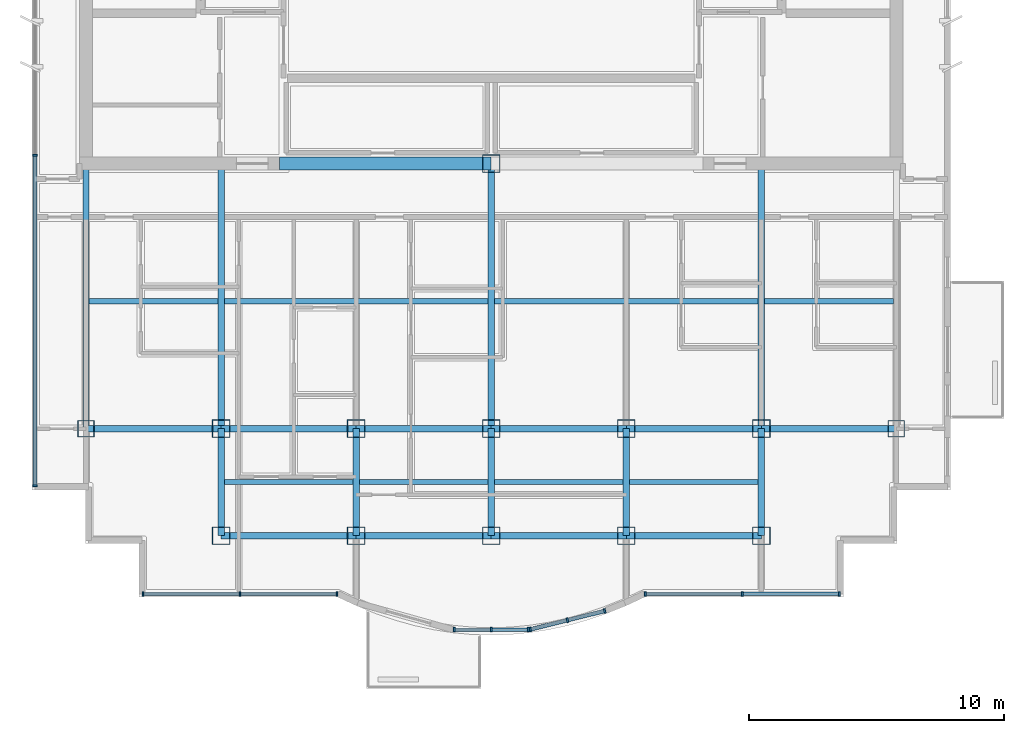
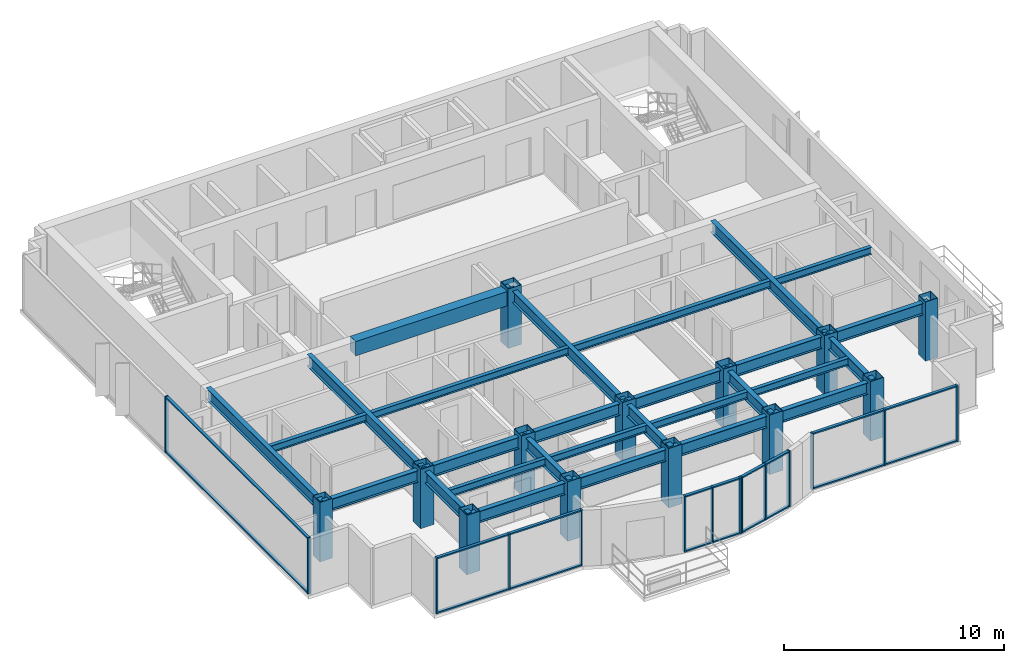
# One storey, part 1 of 9: 32 members, 28 beams, 13 columns, 5 elements without a shape of their own.
"""IFC4 building model written with IfcOpenShell, lengths in metres."""

from ifc_helpers import new_model, si_unit, direction, frame, origin, origin_2d, place, context, subcontext, project, spatial, rectangle, hollow_rectangle, i_section, extrude, source, transform, mapped, material, layer, layer_set, material_profile, profile_set, type_object, element, aggregate, save


model = new_model("IFC4")

# Units and contexts
model_context = context("Model", 3, precision=1e-05, world=origin(), true_north=direction((0.0, 1.0)))
body_context = subcontext(model_context, "Body", "Model", "MODEL_VIEW")
ifc_project = project(units=[si_unit("LENGTHUNIT", "METRE"), si_unit("AREAUNIT", "SQUARE_METRE"), si_unit("VOLUMEUNIT", "CUBIC_METRE"), si_unit("PLANEANGLEUNIT", "RADIAN"), si_unit("MASSUNIT", "GRAM", prefix="KILO")], contexts=[model_context])

# Site, building, storey
site_placement = place(None, origin())
site = spatial("IfcSite", under=ifc_project, at=site_placement, CompositionType="ELEMENT")
building_placement = place(site_placement, origin())
building = spatial("IfcBuilding", under=site, at=building_placement, Name="Qianlan Lanfeng Residences", CompositionType="ELEMENT")
storey_placement = place(building_placement, frame((0.0, 0.0, 246.199951171875)))
storey = spatial("IfcBuildingStorey", under=building, at=storey_placement, Name="L68", CompositionType="ELEMENT", Elevation=246.199951171875)

# Columns
ifc_material_1 = material(Name="Steel SN490B", Category="steel")
ifc_material_profile_1 = material_profile(ifc_material_1, hollow_rectangle(XDim=0.699951171875, YDim=0.699951171875, WallThickness=0.02490234375, at=origin_2d()), Name="BOX 700x700x25")
ifc_profile_set_1 = profile_set([ifc_material_profile_1], Name="Steel SN490B")
column_type_1 = type_object("IfcColumnType", Name="C-B750", PredefinedType="COLUMN", material=ifc_profile_set_1)
for number, where, z_axis, x_axis, name in (
    (1, (26.5, 25.199951171875, 0.0), (0.0, 0.0, 1.0), (1.0, 0.0, 0.0), "L68 Structural Column CP_26.5_25.2"),
    (2, (15.89990234375, 14.800048828125, 0.0), (0.0, 0.0, 1.0), (1.0, 0.0, 0.0), "L68 Structural Column M_15.90_14.80"),
    (3, (15.89990234375, 10.60009765625, 0.0), (0.0, 0.0, 1.0), (1.0, 0.0, 0.0), "L68 Structural Column G_15.90_10.60"),
    (4, (21.199951171875, 14.800048828125, 0.0), (0.0, 0.0, 1.0), (1.0, 0.0, 0.0), "L68 Structural Column M_21.20_14.80"),
    (5, (21.199951171875, 10.60009765625, 0.0), (0.0, 0.0, 1.0), (1.0, 0.0, 0.0), "L68 Structural Column G_21.20_10.60"),
    (6, (26.5, 14.800048828125, 0.0), (0.0, 0.0, 1.0), (1.0, 0.0, 0.0), "L68 Structural Column M_26.50_14.80"),
    (7, (26.5, 10.60009765625, 0.0), (0.0, 0.0, 1.0), (1.0, 0.0, 0.0), "L68 Structural Column G_26.50_10.60"),
    (8, (31.800048828125, 14.800048828125, 0.0), (0.0, 0.0, 1.0), (1.0, 0.0, 0.0), "L68 Structural Column M_31.80_14.80"),
    (9, (31.800048828125, 10.60009765625, 0.0), (0.0, 0.0, 1.0), (1.0, 0.0, 0.0), "L68 Structural Column G_31.80_10.60"),
    (10, (37.10009765625, 14.800048828125, 0.0), (0.0, 0.0, 1.0), (1.0, 0.0, 0.0), "L68 Structural Column M_37.10_14.80"),
    (11, (37.10009765625, 10.60009765625, 0.0), (0.0, 0.0, 1.0), (1.0, 0.0, 0.0), "L68 Structural Column G_37.10_10.60"),
):
    element("IfcColumn", number, at=place(storey_placement, frame(where, z_axis=z_axis, x_axis=x_axis)), inside=storey, type_object=column_type_1, Name=name, PredefinedType="COLUMN", context=body_context, shape_type="SweptSolid", body=[
        extrude(hollow_rectangle(XDim=0.699951171875, YDim=0.699951171875, WallThickness=0.02490234375, at=origin_2d()), origin(), (0.0, 0.0, 1.0), 3.300048828125),
    ])
ifc_material_profile_2 = material_profile(ifc_material_1, hollow_rectangle(XDim=0.64990234375, YDim=0.64990234375, WallThickness=0.02197265625, at=origin_2d()), Name="BOX 650x650x22")
ifc_profile_set_2 = profile_set([ifc_material_profile_2], Name="Steel SN490B")
column_type_2 = type_object("IfcColumnType", Name="CE-B700", PredefinedType="COLUMN", material=ifc_profile_set_2)
for number, where, z_axis, x_axis, name in (
    (12, (10.60009765625, 14.800048828125, 0.0), (0.0, 0.0, 1.0), (1.0, 0.0, 0.0), "L68 Structural Column M_10.60_14.80"),
    (13, (42.39990234375, 14.800048828125, 0.0), (0.0, 0.0, 1.0), (1.0, 0.0, 0.0), "L68 Structural Column M_42.40_14.80"),
):
    element("IfcColumn", number, at=place(storey_placement, frame(where, z_axis=z_axis, x_axis=x_axis)), inside=storey, type_object=column_type_2, Name=name, PredefinedType="COLUMN", context=body_context, shape_type="SweptSolid", body=[
        extrude(hollow_rectangle(XDim=0.64990234375, YDim=0.64990234375, WallThickness=0.02197265625, at=origin_2d()), origin(), (0.0, 0.0, 1.0), 3.300048828125),
    ])

# Beams
ifc_material_profile_3 = material_profile(ifc_material_1, i_section(OverallWidth=0.25, OverallDepth=0.64990234375, WebThickness=0.012939453125, FlangeThickness=0.02197265625, at=origin_2d()), Name="H 650x250x13x22")
ifc_profile_set_3 = profile_set([ifc_material_profile_3], Name="Steel SN490B")
beam_type_1 = type_object("IfcBeamType", Name="G-650", PredefinedType="BEAM", material=ifc_profile_set_3)
for number, where, z_axis, x_axis, name in (
    (14, (15.89990234375, 10.60009765625, 2.78515625), (1.0, 0.0, 0.0), (0.0, 1.0, 0.0), "Structural beam G-650"),
    (15, (21.199951171875, 10.60009765625, 2.78515625), (1.0, 0.0, 0.0), (0.0, 1.0, 0.0), "Structural beam G-650"),
    (16, (26.5, 10.60009765625, 2.78515625), (1.0, 0.0, 0.0), (0.0, 1.0, 0.0), "Structural beam G-650"),
    (17, (31.800048828125, 10.60009765625, 2.78515625), (1.0, 0.0, 0.0), (0.0, 1.0, 0.0), "Structural beam G-650"),
):
    element("IfcBeam", number, at=place(storey_placement, frame(where, z_axis=z_axis, x_axis=x_axis)), inside=storey, type_object=beam_type_1, Name=name, PredefinedType="BEAM", context=body_context, shape_type="SweptSolid", body=[
        extrude(i_section(OverallWidth=0.25, OverallDepth=0.64990234375, WebThickness=0.012939453125, FlangeThickness=0.02197265625, at=origin_2d()), origin(), (0.0, 0.0, 1.0), 5.300048828125),
    ])
beam_1_placement = place(storey_placement, frame((10.60009765625, 14.800048828125, 2.78515625), z_axis=(1.0, 0.0, 0.0), x_axis=(0.0, 1.0, 0.0)))
element("IfcBeam", 18, at=beam_1_placement, inside=storey, type_object=beam_type_1, Name="Structural beam G-650", PredefinedType="BEAM", context=body_context, shape_type="SweptSolid", body=[
    extrude(i_section(OverallWidth=0.25, OverallDepth=0.64990234375, WebThickness=0.012939453125, FlangeThickness=0.02197265625, at=origin_2d()), origin(), (0.0, 0.0, 1.0), 5.2998046875),
])
for number, where, z_axis, x_axis, name in (
    (19, (15.89990234375, 14.800048828125, 2.78515625), (1.0, 0.0, 0.0), (0.0, 1.0, 0.0), "Structural beam G-650"),
    (20, (21.199951171875, 14.800048828125, 2.78515625), (1.0, 0.0, 0.0), (0.0, 1.0, 0.0), "Structural beam G-650"),
    (21, (26.5, 14.800048828125, 2.78515625), (1.0, 0.0, 0.0), (0.0, 1.0, 0.0), "Structural beam G-650"),
    (22, (31.800048828125, 14.800048828125, 2.78515625), (1.0, 0.0, 0.0), (0.0, 1.0, 0.0), "Structural beam G-650"),
):
    element("IfcBeam", number, at=place(storey_placement, frame(where, z_axis=z_axis, x_axis=x_axis)), inside=storey, type_object=beam_type_1, Name=name, PredefinedType="BEAM", context=body_context, shape_type="SweptSolid", body=[
        extrude(i_section(OverallWidth=0.25, OverallDepth=0.64990234375, WebThickness=0.012939453125, FlangeThickness=0.02197265625, at=origin_2d()), origin(), (0.0, 0.0, 1.0), 5.300048828125),
    ])
beam_2_placement = place(storey_placement, frame((37.10009765625, 14.800048828125, 2.78515625), z_axis=(1.0, 0.0, 0.0), x_axis=(0.0, 1.0, 0.0)))
element("IfcBeam", 23, at=beam_2_placement, inside=storey, type_object=beam_type_1, Name="Structural beam G-650", PredefinedType="BEAM", context=body_context, shape_type="SweptSolid", body=[
    extrude(i_section(OverallWidth=0.25, OverallDepth=0.64990234375, WebThickness=0.012939453125, FlangeThickness=0.02197265625, at=origin_2d()), origin(), (0.0, 0.0, 1.0), 5.2998046875),
])
beam_3_placement = place(storey_placement, frame((10.60009765625, 14.800048828125, 2.78515625), z_axis=(0.0, 1.0, 0.0), x_axis=(-1.0, 0.0, 0.0)))
element("IfcBeam", 24, at=beam_3_placement, inside=storey, type_object=beam_type_1, Name="Structural beam G-650", PredefinedType="BEAM", context=body_context, shape_type="SweptSolid", body=[
    extrude(i_section(OverallWidth=0.25, OverallDepth=0.64990234375, WebThickness=0.012939453125, FlangeThickness=0.02197265625, at=origin_2d()), origin(), (0.0, 0.0, 1.0), 10.39990234375),
])
beam_4_placement = place(storey_placement, frame((15.89990234375, 10.60009765625, 2.78515625), z_axis=(0.0, 1.0, 0.0), x_axis=(-1.0, 0.0, 0.0)))
element("IfcBeam", 25, at=beam_4_placement, inside=storey, type_object=beam_type_1, Name="Structural beam G-650", PredefinedType="BEAM", context=body_context, shape_type="SweptSolid", body=[
    extrude(i_section(OverallWidth=0.25, OverallDepth=0.64990234375, WebThickness=0.012939453125, FlangeThickness=0.02197265625, at=origin_2d()), origin(), (0.0, 0.0, 1.0), 4.199951171875),
])
beam_5_placement = place(storey_placement, frame((15.89990234375, 14.800048828125, 2.78515625), z_axis=(0.0, 1.0, 0.0), x_axis=(-1.0, 0.0, 0.0)))
element("IfcBeam", 26, at=beam_5_placement, inside=storey, type_object=beam_type_1, Name="Structural beam G-650", PredefinedType="BEAM", context=body_context, shape_type="SweptSolid", body=[
    extrude(i_section(OverallWidth=0.25, OverallDepth=0.64990234375, WebThickness=0.012939453125, FlangeThickness=0.02197265625, at=origin_2d()), origin(), (0.0, 0.0, 1.0), 10.39990234375),
])
for number, where, z_axis, x_axis, name in (
    (27, (21.199951171875, 10.60009765625, 2.78515625), (0.0, 1.0, 0.0), (-1.0, 0.0, 0.0), "Structural beam G-650"),
    (28, (26.5, 10.60009765625, 2.78515625), (0.0, 1.0, 0.0), (-1.0, 0.0, 0.0), "Structural beam G-650"),
):
    element("IfcBeam", number, at=place(storey_placement, frame(where, z_axis=z_axis, x_axis=x_axis)), inside=storey, type_object=beam_type_1, Name=name, PredefinedType="BEAM", context=body_context, shape_type="SweptSolid", body=[
        extrude(i_section(OverallWidth=0.25, OverallDepth=0.64990234375, WebThickness=0.012939453125, FlangeThickness=0.02197265625, at=origin_2d()), origin(), (0.0, 0.0, 1.0), 4.199951171875),
    ])
beam_6_placement = place(storey_placement, frame((26.5, 14.800048828125, 2.78515625), z_axis=(0.0, 1.0, 0.0), x_axis=(-1.0, 0.0, 0.0)))
element("IfcBeam", 29, at=beam_6_placement, inside=storey, type_object=beam_type_1, Name="Structural beam G-650", PredefinedType="BEAM", context=body_context, shape_type="SweptSolid", body=[
    extrude(i_section(OverallWidth=0.25, OverallDepth=0.64990234375, WebThickness=0.012939453125, FlangeThickness=0.02197265625, at=origin_2d()), origin(), (0.0, 0.0, 1.0), 10.39990234375),
])
for number, where, z_axis, x_axis, name in (
    (30, (31.800048828125, 10.60009765625, 2.78515625), (0.0, 1.0, 0.0), (-1.0, 0.0, 0.0), "Structural beam G-650"),
    (31, (37.10009765625, 10.60009765625, 2.78515625), (0.0, 1.0, 0.0), (-1.0, 0.0, 0.0), "Structural beam G-650"),
):
    element("IfcBeam", number, at=place(storey_placement, frame(where, z_axis=z_axis, x_axis=x_axis)), inside=storey, type_object=beam_type_1, Name=name, PredefinedType="BEAM", context=body_context, shape_type="SweptSolid", body=[
        extrude(i_section(OverallWidth=0.25, OverallDepth=0.64990234375, WebThickness=0.012939453125, FlangeThickness=0.02197265625, at=origin_2d()), origin(), (0.0, 0.0, 1.0), 4.199951171875),
    ])
beam_7_placement = place(storey_placement, frame((37.10009765625, 14.800048828125, 2.78515625), z_axis=(0.0, 1.0, 0.0), x_axis=(-1.0, 0.0, 0.0)))
element("IfcBeam", 32, at=beam_7_placement, inside=storey, type_object=beam_type_1, Name="Structural beam G-650", PredefinedType="BEAM", context=body_context, shape_type="SweptSolid", body=[
    extrude(i_section(OverallWidth=0.25, OverallDepth=0.64990234375, WebThickness=0.012939453125, FlangeThickness=0.02197265625, at=origin_2d()), origin(), (0.0, 0.0, 1.0), 10.39990234375),
])
ifc_material_profile_4 = material_profile(ifc_material_1, i_section(OverallWidth=0.199951171875, OverallDepth=0.39990234375, WebThickness=0.008056640625, FlangeThickness=0.012939453125, at=origin_2d()), Name="H 400x200x8x13")
ifc_profile_set_4 = profile_set([ifc_material_profile_4], Name="Steel SN490B")
beam_type_2 = type_object("IfcBeamType", Name="J-400", PredefinedType="JOIST", material=ifc_profile_set_4)
for number, where, z_axis, x_axis, name in (
    (33, (16.02490234375, 12.699951171875, 2.91015625), (1.0, 0.0, 0.0), (0.0, 1.0, 0.0), "Structural beam J-400"),
    (34, (21.324951171875, 12.699951171875, 2.91015625), (1.0, 0.0, 0.0), (0.0, 1.0, 0.0), "Structural beam J-400"),
    (35, (26.625, 12.699951171875, 2.91015625), (1.0, 0.0, 0.0), (0.0, 1.0, 0.0), "Structural beam J-400"),
    (36, (31.925048828125, 12.699951171875, 2.91015625), (1.0, 0.0, 0.0), (0.0, 1.0, 0.0), "Structural beam J-400"),
):
    element("IfcBeam", number, at=place(storey_placement, frame(where, z_axis=z_axis, x_axis=x_axis)), inside=storey, type_object=beam_type_2, Name=name, PredefinedType="JOIST", context=body_context, shape_type="SweptSolid", body=[
        extrude(i_section(OverallWidth=0.199951171875, OverallDepth=0.39990234375, WebThickness=0.008056640625, FlangeThickness=0.012939453125, at=origin_2d()), origin(), (0.0, 0.0, 1.0), 5.050048828125),
    ])
beam_8_placement = place(storey_placement, frame((10.72509765625, 19.800048828125, 2.91015625), z_axis=(1.0, 0.0, 0.0), x_axis=(0.0, 1.0, 0.0)))
element("IfcBeam", 37, at=beam_8_placement, inside=storey, type_object=beam_type_2, Name="Structural beam J-400", PredefinedType="JOIST", context=body_context, shape_type="SweptSolid", body=[
    extrude(i_section(OverallWidth=0.199951171875, OverallDepth=0.39990234375, WebThickness=0.008056640625, FlangeThickness=0.012939453125, at=origin_2d()), origin(), (0.0, 0.0, 1.0), 5.0498046875),
])
for number, where, z_axis, x_axis, name in (
    (38, (16.02490234375, 19.800048828125, 2.91015625), (1.0, 0.0, 0.0), (0.0, 1.0, 0.0), "Structural beam J-400"),
    (39, (26.625, 19.800048828125, 2.91015625), (1.0, 0.0, 0.0), (0.0, 1.0, 0.0), "Structural beam J-400"),
):
    element("IfcBeam", number, at=place(storey_placement, frame(where, z_axis=z_axis, x_axis=x_axis)), inside=storey, type_object=beam_type_2, Name=name, PredefinedType="JOIST", context=body_context, shape_type="SweptSolid", body=[
        extrude(i_section(OverallWidth=0.199951171875, OverallDepth=0.39990234375, WebThickness=0.008056640625, FlangeThickness=0.012939453125, at=origin_2d()), origin(), (0.0, 0.0, 1.0), 10.35009765625),
    ])
beam_9_placement = place(storey_placement, frame((37.22509765625, 19.800048828125, 2.91015625), z_axis=(1.0, 0.0, 0.0), x_axis=(0.0, 1.0, 0.0)))
element("IfcBeam", 40, at=beam_9_placement, inside=storey, type_object=beam_type_2, Name="Structural beam J-400", PredefinedType="JOIST", context=body_context, shape_type="SweptSolid", body=[
    extrude(i_section(OverallWidth=0.199951171875, OverallDepth=0.39990234375, WebThickness=0.008056640625, FlangeThickness=0.012939453125, at=origin_2d()), origin(), (0.0, 0.0, 1.0), 5.0498046875),
])
ifc_material_2 = material(Name="Concrete C49", Category="concrete")
ifc_material_profile_5 = material_profile(ifc_material_2, rectangle(XDim=0.5, YDim=0.800048828125, at=origin_2d()), Name="RC 500x800")
ifc_profile_set_5 = profile_set([ifc_material_profile_5], Name="Concrete C49")
beam_type_3 = type_object("IfcBeamType", Name="LB-RC750", PredefinedType="BEAM", material=ifc_profile_set_5)
beam_10_placement = place(storey_placement, frame((18.199951171875, 25.199951171875, 2.7099609375), z_axis=(1.0, 0.0, 0.0), x_axis=(0.0, 1.0, 0.0)))
element("IfcBeam", 41, at=beam_10_placement, inside=storey, type_object=beam_type_3, Name="L68 Core Coupling Beam W", PredefinedType="BEAM", context=body_context, shape_type="SweptSolid", body=[
    extrude(rectangle(XDim=0.5, YDim=0.800048828125, at=origin_2d()), origin(), (0.0, 0.0, 1.0), 8.300048828125),
])

# Curtain wall, members
ifc_material_3 = material(Name="Anodised Bronze Aluminium 6063-T6", Category="aluminium")
ifc_layer = layer(ifc_material_3, 0.219970703125)
ifc_layer_set = layer_set([ifc_layer], Name="Anodised Bronze Aluminium 6063-T6")
curtain_wall_type = type_object("IfcCurtainWallType", Name="CW-06", PredefinedType="NOTDEFINED", material=ifc_layer_set)
curtain_wall_1_placement = place(storey_placement, origin())
curtain_wall_1 = element("IfcCurtainWall", 42, at=curtain_wall_1_placement, inside=storey, type_object=curtain_wall_type, Name="L68 Unitised Curtain Wall CWR-L68-01 (CW-06)", PredefinedType="NOTDEFINED")
ifc_material_profile_6 = material_profile(ifc_material_3, rectangle(XDim=0.074951171875, YDim=0.179931640625, at=origin_2d()), Name="ALU MULLION 75x180")
ifc_profile_set_6 = profile_set([ifc_material_profile_6], Name="Anodised Bronze Aluminium 6063-T6")
member_type_1 = type_object("IfcMemberType", Name="CWM-180", PredefinedType="MULLION", material=ifc_profile_set_6)
shared_shape_1 = source(origin(), body_context, "Body", "SweptSolid", [
    extrude(rectangle(XDim=0.074951171875, YDim=0.179931640625, at=origin_2d()), origin(), (0.0, 0.0, 1.0), 3.110107421875),
])
member_1_placement = place(storey_placement, frame((12.83740234375, 8.320068359375, 0.0), z_axis=(0.0, 0.0, 1.0), x_axis=(1.0, 0.0, 0.0)))
member_1 = element("IfcMember", 43, at=member_1_placement, type_object=member_type_1, Name="CWR-L68-01 Mullion 1", PredefinedType="MULLION", context=body_context, shape_type="MappedRepresentation", body=[
    mapped(shared_shape_1, transform((0.0, 0.0, 0.0), scale=1.0)),
])
member_2_placement = place(storey_placement, frame((16.6435546875, 8.320068359375, 0.0), z_axis=(0.0, 0.0, 1.0), x_axis=(1.0, 0.0, 0.0)))
member_2 = element("IfcMember", 44, at=member_2_placement, type_object=member_type_1, Name="CWR-L68-01 Mullion 2", PredefinedType="MULLION", context=body_context, shape_type="MappedRepresentation", body=[
    mapped(shared_shape_1, transform((0.0, 0.0, 0.0), scale=1.0)),
])
member_3_placement = place(storey_placement, frame((20.449462890625, 8.320068359375, 0.0), z_axis=(0.0, 0.0, 1.0), x_axis=(1.0, 0.0, 0.0)))
member_3 = element("IfcMember", 45, at=member_3_placement, type_object=member_type_1, Name="CWR-L68-01 Mullion 3", PredefinedType="MULLION", context=body_context, shape_type="MappedRepresentation", body=[
    mapped(shared_shape_1, transform((0.0, 0.0, 0.0), scale=1.0)),
])

curtain_wall_2_placement = place(storey_placement, origin())
curtain_wall_2 = element("IfcCurtainWall", 46, at=curtain_wall_2_placement, inside=storey, type_object=curtain_wall_type, Name="L68 Unitised Curtain Wall CWR-L68-02 (CW-06)", PredefinedType="NOTDEFINED")
member_4_placement = place(storey_placement, frame((25.04248046875, 6.9130859375, 0.0), z_axis=(0.0, 0.0, 1.0), x_axis=(1.0, 0.0, 0.0)))
member_4 = element("IfcMember", 47, at=member_4_placement, type_object=member_type_1, Name="CWR-L68-02 Mullion 1", PredefinedType="MULLION", context=body_context, shape_type="MappedRepresentation", body=[
    mapped(shared_shape_1, transform((0.0, 0.0, 0.0), scale=1.0)),
])
member_5_placement = place(storey_placement, frame((26.5, 6.9130859375, 0.0), z_axis=(0.0, 0.0, 1.0), x_axis=(1.0, 0.0, 0.0)))
member_5 = element("IfcMember", 48, at=member_5_placement, type_object=member_type_1, Name="CWR-L68-02 Mullion 2", PredefinedType="MULLION", context=body_context, shape_type="MappedRepresentation", body=[
    mapped(shared_shape_1, transform((0.0, 0.0, 0.0), scale=1.0)),
])
member_6_placement = place(storey_placement, frame((27.95751953125, 6.9130859375, 0.0), z_axis=(0.0, 0.0, 1.0), x_axis=(1.0, 0.0, 0.0)))
member_6 = element("IfcMember", 49, at=member_6_placement, type_object=member_type_1, Name="CWR-L68-02 Mullion 3", PredefinedType="MULLION", context=body_context, shape_type="MappedRepresentation", body=[
    mapped(shared_shape_1, transform((0.0, 0.0, 0.0), scale=1.0)),
])

curtain_wall_3_placement = place(storey_placement, origin())
curtain_wall_3 = element("IfcCurtainWall", 50, at=curtain_wall_3_placement, inside=storey, type_object=curtain_wall_type, Name="L68 Unitised Curtain Wall CWR-L68-03 (CW-06)", PredefinedType="NOTDEFINED")
member_7_placement = place(storey_placement, frame((28.031494140625, 6.922119140625, 0.0), z_axis=(0.0, 0.0, 1.0), x_axis=(0.970466067332, 0.241237667369, 0.0)))
member_7 = element("IfcMember", 51, at=member_7_placement, type_object=member_type_1, Name="CWR-L68-03 Mullion 1", PredefinedType="MULLION", context=body_context, shape_type="MappedRepresentation", body=[
    mapped(shared_shape_1, transform((0.0, 0.0, 0.0), scale=1.0)),
])
member_8_placement = place(storey_placement, frame((29.491455078125, 7.284912109375, 0.0), z_axis=(0.0, 0.0, 1.0), x_axis=(0.970466067332, 0.241237667369, 0.0)))
member_8 = element("IfcMember", 52, at=member_8_placement, type_object=member_type_1, Name="CWR-L68-03 Mullion 2", PredefinedType="MULLION", context=body_context, shape_type="MappedRepresentation", body=[
    mapped(shared_shape_1, transform((0.0, 0.0, 0.0), scale=1.0)),
])
member_9_placement = place(storey_placement, frame((30.95166015625, 7.64794921875, 0.0), z_axis=(0.0, 0.0, 1.0), x_axis=(0.970466067332, 0.241237667369, 0.0)))
member_9 = element("IfcMember", 53, at=member_9_placement, type_object=member_type_1, Name="CWR-L68-03 Mullion 3", PredefinedType="MULLION", context=body_context, shape_type="MappedRepresentation", body=[
    mapped(shared_shape_1, transform((0.0, 0.0, 0.0), scale=1.0)),
])

curtain_wall_4_placement = place(storey_placement, origin())
curtain_wall_4 = element("IfcCurtainWall", 54, at=curtain_wall_4_placement, inside=storey, type_object=curtain_wall_type, Name="L68 Unitised Curtain Wall CWR-L68-04 (CW-06)", PredefinedType="NOTDEFINED")
member_10_placement = place(storey_placement, frame((32.550537109375, 8.320068359375, 0.0), z_axis=(0.0, 0.0, 1.0), x_axis=(1.0, 0.0, 0.0)))
member_10 = element("IfcMember", 55, at=member_10_placement, type_object=member_type_1, Name="CWR-L68-04 Mullion 1", PredefinedType="MULLION", context=body_context, shape_type="MappedRepresentation", body=[
    mapped(shared_shape_1, transform((0.0, 0.0, 0.0), scale=1.0)),
])
member_11_placement = place(storey_placement, frame((36.3564453125, 8.320068359375, 0.0), z_axis=(0.0, 0.0, 1.0), x_axis=(1.0, 0.0, 0.0)))
member_11 = element("IfcMember", 56, at=member_11_placement, type_object=member_type_1, Name="CWR-L68-04 Mullion 2", PredefinedType="MULLION", context=body_context, shape_type="MappedRepresentation", body=[
    mapped(shared_shape_1, transform((0.0, 0.0, 0.0), scale=1.0)),
])
member_12_placement = place(storey_placement, frame((40.16259765625, 8.320068359375, 0.0), z_axis=(0.0, 0.0, 1.0), x_axis=(1.0, 0.0, 0.0)))
member_12 = element("IfcMember", 57, at=member_12_placement, type_object=member_type_1, Name="CWR-L68-04 Mullion 3", PredefinedType="MULLION", context=body_context, shape_type="MappedRepresentation", body=[
    mapped(shared_shape_1, transform((0.0, 0.0, 0.0), scale=1.0)),
])

curtain_wall_5_placement = place(storey_placement, origin())
curtain_wall_5 = element("IfcCurtainWall", 58, at=curtain_wall_5_placement, inside=storey, type_object=curtain_wall_type, Name="L68 Unitised Curtain Wall CWR-L68-05 (CW-06)", PredefinedType="NOTDEFINED")
member_13_placement = place(storey_placement, frame((8.60009765625, 25.52490234375, 0.0), z_axis=(0.0, 0.0, 1.0), x_axis=(0.0, -1.0, 0.0)))
member_13 = element("IfcMember", 59, at=member_13_placement, type_object=member_type_1, Name="CWR-L68-05 Mullion 2", PredefinedType="MULLION", context=body_context, shape_type="MappedRepresentation", body=[
    mapped(shared_shape_1, transform((0.0, 0.0, 0.0), scale=1.0)),
])
member_14_placement = place(storey_placement, frame((8.60009765625, 12.5576171875, 0.0), z_axis=(0.0, 0.0, 1.0), x_axis=(0.0, -1.0, 0.0)))
member_14 = element("IfcMember", 60, at=member_14_placement, type_object=member_type_1, Name="CWR-L68-05 Mullion 3", PredefinedType="MULLION", context=body_context, shape_type="MappedRepresentation", body=[
    mapped(shared_shape_1, transform((0.0, 0.0, 0.0), scale=1.0)),
])

# Member
ifc_material_profile_7 = material_profile(ifc_material_3, rectangle(XDim=0.074951171875, YDim=0.14990234375, at=origin_2d()), Name="ALU TRANSOM 75x150")
ifc_profile_set_7 = profile_set([ifc_material_profile_7], Name="Anodised Bronze Aluminium 6063-T6")
member_type_2 = type_object("IfcMemberType", Name="CWT-150", PredefinedType="USERDEFINED", material=ifc_profile_set_7)
shared_shape_2 = source(origin(), body_context, "Body", "SweptSolid", [
    extrude(rectangle(XDim=0.074951171875, YDim=0.14990234375, at=origin_2d()), origin(), (0.0, 0.0, 1.0), 3.73095703125),
])
member_15_placement = place(storey_placement, frame((12.875, 8.320068359375, 0.03759765625), z_axis=(1.0, 0.0, 0.0), x_axis=(0.0, 0.0, 1.0)))
member_15 = element("IfcMember", 61, at=member_15_placement, type_object=member_type_2, Name="CWR-L68-01 Transom 1-BOT", ObjectType="TRANSOM", PredefinedType="USERDEFINED", context=body_context, shape_type="MappedRepresentation", body=[
    mapped(shared_shape_2, transform((0.0, 0.0, 0.0), scale=1.0)),
])

member_16_placement = place(storey_placement, frame((12.875, 8.320068359375, 3.072509765625), z_axis=(1.0, 0.0, 0.0), x_axis=(0.0, 0.0, 1.0)))
member_16 = element("IfcMember", 62, at=member_16_placement, type_object=member_type_2, Name="CWR-L68-01 Transom 1-TOP", ObjectType="TRANSOM", PredefinedType="USERDEFINED", context=body_context, shape_type="MappedRepresentation", body=[
    mapped(shared_shape_2, transform((0.0, 0.0, 0.0), scale=1.0)),
])

member_17_placement = place(storey_placement, frame((36.39404296875, 8.320068359375, 0.03759765625), z_axis=(1.0, 0.0, 0.0), x_axis=(0.0, 0.0, 1.0)))
member_17 = element("IfcMember", 63, at=member_17_placement, type_object=member_type_2, Name="CWR-L68-04 Transom 2-BOT", ObjectType="TRANSOM", PredefinedType="USERDEFINED", context=body_context, shape_type="MappedRepresentation", body=[
    mapped(shared_shape_2, transform((0.0, 0.0, 0.0), scale=1.0)),
])

member_18_placement = place(storey_placement, frame((36.39404296875, 8.320068359375, 3.072509765625), z_axis=(1.0, 0.0, 0.0), x_axis=(0.0, 0.0, 1.0)))
member_18 = element("IfcMember", 64, at=member_18_placement, type_object=member_type_2, Name="CWR-L68-04 Transom 2-TOP", ObjectType="TRANSOM", PredefinedType="USERDEFINED", context=body_context, shape_type="MappedRepresentation", body=[
    mapped(shared_shape_2, transform((0.0, 0.0, 0.0), scale=1.0)),
])

shared_shape_3 = source(origin(), body_context, "Body", "SweptSolid", [
    extrude(rectangle(XDim=0.074951171875, YDim=0.14990234375, at=origin_2d()), origin(), (0.0, 0.0, 1.0), 3.731201171875),
])
member_19_placement = place(storey_placement, frame((16.680908203125, 8.320068359375, 0.03759765625), z_axis=(1.0, 0.0, 0.0), x_axis=(0.0, 0.0, 1.0)))
member_19 = element("IfcMember", 65, at=member_19_placement, type_object=member_type_2, Name="CWR-L68-01 Transom 2-BOT", ObjectType="TRANSOM", PredefinedType="USERDEFINED", context=body_context, shape_type="MappedRepresentation", body=[
    mapped(shared_shape_3, transform((0.0, 0.0, 0.0), scale=1.0)),
])

member_20_placement = place(storey_placement, frame((16.680908203125, 8.320068359375, 3.072509765625), z_axis=(1.0, 0.0, 0.0), x_axis=(0.0, 0.0, 1.0)))
member_20 = element("IfcMember", 66, at=member_20_placement, type_object=member_type_2, Name="CWR-L68-01 Transom 2-TOP", ObjectType="TRANSOM", PredefinedType="USERDEFINED", context=body_context, shape_type="MappedRepresentation", body=[
    mapped(shared_shape_3, transform((0.0, 0.0, 0.0), scale=1.0)),
])

aggregate(curtain_wall_1, [member_1, member_2, member_3, member_15, member_16, member_19, member_20])

member_21_placement = place(storey_placement, frame((32.587890625, 8.320068359375, 0.03759765625), z_axis=(1.0, 0.0, 0.0), x_axis=(0.0, 0.0, 1.0)))
member_21 = element("IfcMember", 67, at=member_21_placement, type_object=member_type_2, Name="CWR-L68-04 Transom 1-BOT", ObjectType="TRANSOM", PredefinedType="USERDEFINED", context=body_context, shape_type="MappedRepresentation", body=[
    mapped(shared_shape_3, transform((0.0, 0.0, 0.0), scale=1.0)),
])

member_22_placement = place(storey_placement, frame((32.587890625, 8.320068359375, 3.072509765625), z_axis=(1.0, 0.0, 0.0), x_axis=(0.0, 0.0, 1.0)))
member_22 = element("IfcMember", 68, at=member_22_placement, type_object=member_type_2, Name="CWR-L68-04 Transom 1-TOP", ObjectType="TRANSOM", PredefinedType="USERDEFINED", context=body_context, shape_type="MappedRepresentation", body=[
    mapped(shared_shape_3, transform((0.0, 0.0, 0.0), scale=1.0)),
])

aggregate(curtain_wall_4, [member_10, member_11, member_12, member_21, member_22, member_17, member_18])

shared_shape_4 = source(origin(), body_context, "Body", "SweptSolid", [
    extrude(rectangle(XDim=0.074951171875, YDim=0.14990234375, at=origin_2d()), origin(), (0.0, 0.0, 1.0), 12.892578125),
])
member_23_placement = place(storey_placement, frame((8.60009765625, 25.487548828125, 0.03759765625), z_axis=(0.0, -1.0, 0.0), x_axis=(0.0, 0.0, 1.0)))
member_23 = element("IfcMember", 69, at=member_23_placement, type_object=member_type_2, Name="CWR-L68-05 Transom 2-BOT", ObjectType="TRANSOM", PredefinedType="USERDEFINED", context=body_context, shape_type="MappedRepresentation", body=[
    mapped(shared_shape_4, transform((0.0, 0.0, 0.0), scale=1.0)),
])

member_24_placement = place(storey_placement, frame((8.60009765625, 25.487548828125, 3.072509765625), z_axis=(0.0, -1.0, 0.0), x_axis=(0.0, 0.0, 1.0)))
member_24 = element("IfcMember", 70, at=member_24_placement, type_object=member_type_2, Name="CWR-L68-05 Transom 2-TOP", ObjectType="TRANSOM", PredefinedType="USERDEFINED", context=body_context, shape_type="MappedRepresentation", body=[
    mapped(shared_shape_4, transform((0.0, 0.0, 0.0), scale=1.0)),
])

aggregate(curtain_wall_5, [member_13, member_14, member_23, member_24])

shared_shape_5 = source(origin(), body_context, "Body", "SweptSolid", [
    extrude(rectangle(XDim=0.074951171875, YDim=0.14990234375, at=origin_2d()), origin(), (0.0, 0.0, 1.0), 1.38232421875),
])
member_25_placement = place(storey_placement, frame((25.080078125, 6.9130859375, 0.03759765625), z_axis=(1.0, 0.0, 0.0), x_axis=(0.0, 0.0, 1.0)))
member_25 = element("IfcMember", 71, at=member_25_placement, type_object=member_type_2, Name="CWR-L68-02 Transom 1-BOT", ObjectType="TRANSOM", PredefinedType="USERDEFINED", context=body_context, shape_type="MappedRepresentation", body=[
    mapped(shared_shape_5, transform((0.0, 0.0, 0.0), scale=1.0)),
])

member_26_placement = place(storey_placement, frame((25.080078125, 6.9130859375, 3.072509765625), z_axis=(1.0, 0.0, 0.0), x_axis=(0.0, 0.0, 1.0)))
member_26 = element("IfcMember", 72, at=member_26_placement, type_object=member_type_2, Name="CWR-L68-02 Transom 1-TOP", ObjectType="TRANSOM", PredefinedType="USERDEFINED", context=body_context, shape_type="MappedRepresentation", body=[
    mapped(shared_shape_5, transform((0.0, 0.0, 0.0), scale=1.0)),
])

member_27_placement = place(storey_placement, frame((26.53759765625, 6.9130859375, 0.03759765625), z_axis=(1.0, 0.0, 0.0), x_axis=(0.0, 0.0, 1.0)))
member_27 = element("IfcMember", 73, at=member_27_placement, type_object=member_type_2, Name="CWR-L68-02 Transom 2-BOT", ObjectType="TRANSOM", PredefinedType="USERDEFINED", context=body_context, shape_type="MappedRepresentation", body=[
    mapped(shared_shape_5, transform((0.0, 0.0, 0.0), scale=1.0)),
])

member_28_placement = place(storey_placement, frame((26.53759765625, 6.9130859375, 3.072509765625), z_axis=(1.0, 0.0, 0.0), x_axis=(0.0, 0.0, 1.0)))
member_28 = element("IfcMember", 74, at=member_28_placement, type_object=member_type_2, Name="CWR-L68-02 Transom 2-TOP", ObjectType="TRANSOM", PredefinedType="USERDEFINED", context=body_context, shape_type="MappedRepresentation", body=[
    mapped(shared_shape_5, transform((0.0, 0.0, 0.0), scale=1.0)),
])

aggregate(curtain_wall_2, [member_4, member_5, member_6, member_25, member_26, member_27, member_28])

shared_shape_6 = source(origin(), body_context, "Body", "SweptSolid", [
    extrude(rectangle(XDim=0.074951171875, YDim=0.14990234375, at=origin_2d()), origin(), (0.0, 0.0, 1.0), 1.429443359375),
])
member_29_placement = place(storey_placement, frame((28.06787109375, 6.93115234375, 0.03759765625), z_axis=(0.970483137028, 0.241168987941, 0.0), x_axis=(0.0, 0.0, 1.0)))
member_29 = element("IfcMember", 75, at=member_29_placement, type_object=member_type_2, Name="CWR-L68-03 Transom 1-BOT", ObjectType="TRANSOM", PredefinedType="USERDEFINED", context=body_context, shape_type="MappedRepresentation", body=[
    mapped(shared_shape_6, transform((0.0, 0.0, 0.0), scale=1.0)),
])

member_30_placement = place(storey_placement, frame((28.06787109375, 6.93115234375, 3.072509765625), z_axis=(0.970483137028, 0.241168987941, 0.0), x_axis=(0.0, 0.0, 1.0)))
member_30 = element("IfcMember", 76, at=member_30_placement, type_object=member_type_2, Name="CWR-L68-03 Transom 1-TOP", ObjectType="TRANSOM", PredefinedType="USERDEFINED", context=body_context, shape_type="MappedRepresentation", body=[
    mapped(shared_shape_6, transform((0.0, 0.0, 0.0), scale=1.0)),
])

shared_shape_7 = source(origin(), body_context, "Body", "SweptSolid", [
    extrude(rectangle(XDim=0.074951171875, YDim=0.14990234375, at=origin_2d()), origin(), (0.0, 0.0, 1.0), 1.4296875),
])
member_31_placement = place(storey_placement, frame((29.52783203125, 7.2939453125, 0.03759765625), z_axis=(0.970453094131, 0.241289850784, 0.0), x_axis=(0.0, 0.0, 1.0)))
member_31 = element("IfcMember", 77, at=member_31_placement, type_object=member_type_2, Name="CWR-L68-03 Transom 2-BOT", ObjectType="TRANSOM", PredefinedType="USERDEFINED", context=body_context, shape_type="MappedRepresentation", body=[
    mapped(shared_shape_7, transform((0.0, 0.0, 0.0), scale=1.0)),
])

member_32_placement = place(storey_placement, frame((29.52783203125, 7.2939453125, 3.072509765625), z_axis=(0.970453094131, 0.241289850784, 0.0), x_axis=(0.0, 0.0, 1.0)))
member_32 = element("IfcMember", 78, at=member_32_placement, type_object=member_type_2, Name="CWR-L68-03 Transom 2-TOP", ObjectType="TRANSOM", PredefinedType="USERDEFINED", context=body_context, shape_type="MappedRepresentation", body=[
    mapped(shared_shape_7, transform((0.0, 0.0, 0.0), scale=1.0)),
])

aggregate(curtain_wall_3, [member_7, member_8, member_9, member_29, member_30, member_31, member_32])

save(model, "model.ifc")
